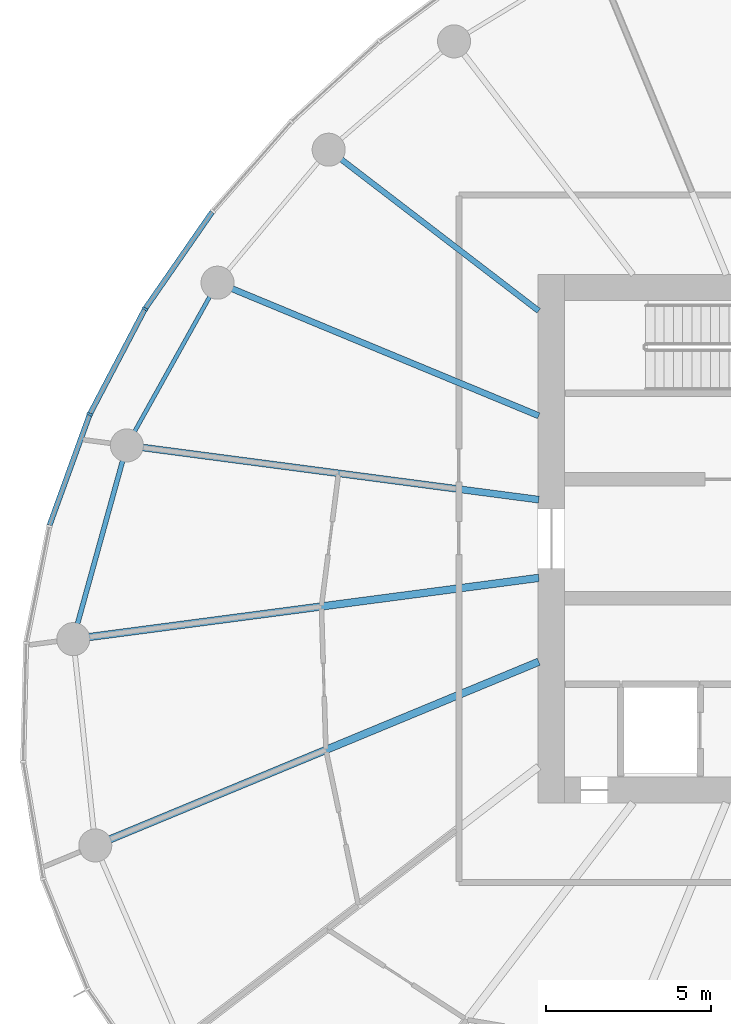
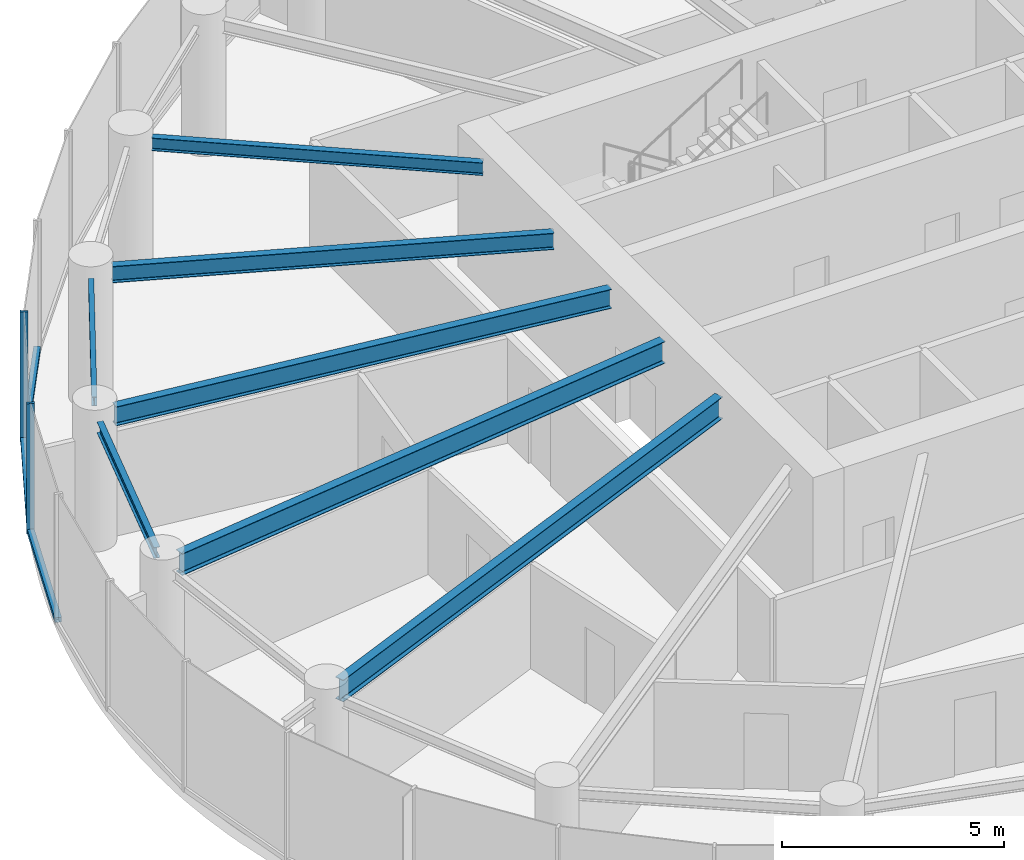
# One storey, part 3 of 14: 7 beams, 5 members, 1 element without a shape of its own.
"""IFC4 building model written with IfcOpenShell, lengths in metres."""

from ifc_helpers import new_model, si_unit, direction, frame, origin, origin_2d, place, context, subcontext, project, spatial, rectangle, i_section, extrude, source, transform, mapped, material, layer, layer_set, material_profile, profile_set, type_object, element, aggregate, save


model = new_model("IFC4")

# Units and contexts
model_context = context("Model", 3, precision=1e-05, world=origin(), true_north=direction((0.0, 1.0)))
body_context = subcontext(model_context, "Body", "Model", "MODEL_VIEW")
ifc_project = project(units=[si_unit("LENGTHUNIT", "METRE"), si_unit("AREAUNIT", "SQUARE_METRE"), si_unit("VOLUMEUNIT", "CUBIC_METRE"), si_unit("PLANEANGLEUNIT", "RADIAN"), si_unit("MASSUNIT", "GRAM", prefix="KILO")], contexts=[model_context])

# Site, building, storey
site_placement = place(None, origin())
site = spatial("IfcSite", under=ifc_project, at=site_placement, CompositionType="ELEMENT")
building_placement = place(site_placement, origin())
building = spatial("IfcBuilding", under=site, at=building_placement, Name="Spindrift Exchange Tower", CompositionType="ELEMENT")
storey_placement = place(building_placement, frame((0.0, 0.0, 164.300048828125)))
storey = spatial("IfcBuildingStorey", under=building, at=storey_placement, Name="L39", CompositionType="ELEMENT", Elevation=164.300048828125)

# Beams
ifc_material_1 = material(Name="Steel Grade 300", Category="steel")
ifc_material_profile_1 = material_profile(ifc_material_1, i_section(OverallWidth=0.1240234375, OverallDepth=0.248046875, WebThickness=0.0048828125, FlangeThickness=0.008056640625, FilletRadius=0.011962890625, at=origin_2d()), Name="250UB25.7")
ifc_profile_set_1 = profile_set([ifc_material_profile_1], Name="Steel Grade 300")
beam_type_1 = type_object("IfcBeamType", Name="Edge Beam 250UB25.7 Steel Grade 300", PredefinedType="SPANDREL", material=ifc_profile_set_1)
shared_shape_1 = source(origin(), body_context, "Body", "SweptSolid", [
    extrude(i_section(OverallWidth=0.1240234375, OverallDepth=0.248046875, WebThickness=0.0048828125, FlangeThickness=0.008056640625, FilletRadius=0.011962890625, at=origin_2d()), origin(), (0.0, 0.0, 1.0), 4.6748046875),
])
beam_1_placement = place(storey_placement, frame((33.067138671875, 55.326171875, 3.4560546875), z_axis=(-0.486587145143, -0.873632045075, 0.0), x_axis=(0.873632045075, -0.486587145143, 0.0)))
element("IfcBeam", 1, at=beam_1_placement, inside=storey, type_object=beam_type_1, Name="L39 edge beam E11", PredefinedType="SPANDREL", context=body_context, shape_type="MappedRepresentation", body=[
    mapped(shared_shape_1, transform((0.0, 0.0, 0.0), scale=1.0)),
])
ifc_material_profile_2 = material_profile(ifc_material_1, i_section(OverallWidth=0.14892578125, OverallDepth=0.298095703125, WebThickness=0.005615234375, FlangeThickness=0.008056640625, FilletRadius=0.012939453125, at=origin_2d()), Name="310UB32.0")
ifc_profile_set_2 = profile_set([ifc_material_profile_2], Name="Steel Grade 300")
beam_type_2 = type_object("IfcBeamType", Name="Edge Beam 310UB32.0 Steel Grade 300", PredefinedType="SPANDREL", material=ifc_profile_set_2)
shared_shape_2 = source(origin(), body_context, "Body", "SweptSolid", [
    extrude(i_section(OverallWidth=0.14892578125, OverallDepth=0.298095703125, WebThickness=0.005615234375, FlangeThickness=0.008056640625, FilletRadius=0.012939453125, at=origin_2d()), origin(), (0.0, 0.0, 1.0), 5.118896484375),
])
beam_2_placement = place(storey_placement, frame((30.430908203125, 50.360107421875, 3.430908203125), z_axis=(-0.266654866605, -0.963792084485, 0.0), x_axis=(0.963792084485, -0.266654866605, 0.0)))
element("IfcBeam", 2, at=beam_2_placement, inside=storey, type_object=beam_type_2, Name="L39 edge beam E12", PredefinedType="SPANDREL", context=body_context, shape_type="MappedRepresentation", body=[
    mapped(shared_shape_2, transform((0.0, 0.0, 0.0), scale=1.0)),
])
ifc_material_profile_3 = material_profile(ifc_material_1, i_section(OverallWidth=0.22802734375, OverallDepth=0.60205078125, WebThickness=0.010498046875, FlangeThickness=0.014892578125, FilletRadius=0.013916015625, at=origin_2d()), Name="610UB101")
ifc_profile_set_3 = profile_set([ifc_material_profile_3], Name="Steel Grade 300")
beam_type_3 = type_object("IfcBeamType", Name="Floor Beam 610UB101 Steel Grade 300", PredefinedType="BEAM", material=ifc_profile_set_3)
shared_shape_3 = source(origin(), body_context, "Body", "SweptSolid", [
    extrude(i_section(OverallWidth=0.22802734375, OverallDepth=0.60205078125, WebThickness=0.010498046875, FlangeThickness=0.014892578125, FilletRadius=0.013916015625, at=origin_2d()), origin(), (0.0, 0.0, 1.0), 13.723388671875),
])
beam_3_placement = place(storey_placement, frame((43.019775390625, 46.817626953125, 3.279052734375), z_axis=(-0.991447148915, -0.13050881544, 0.0), x_axis=(0.13050881544, -0.991447148915, 0.0)))
element("IfcBeam", 3, at=beam_3_placement, inside=storey, type_object=beam_type_3, Name="L39 radial beam R13A", PredefinedType="BEAM", context=body_context, shape_type="MappedRepresentation", body=[
    mapped(shared_shape_3, transform((0.0, 0.0, 0.0), scale=1.0)),
])
shared_shape_4 = source(origin(), body_context, "Body", "SweptSolid", [
    extrude(i_section(OverallWidth=0.22802734375, OverallDepth=0.60205078125, WebThickness=0.010498046875, FlangeThickness=0.014892578125, FilletRadius=0.013916015625, at=origin_2d()), origin(), (0.0, 0.0, 1.0), 14.04052734375),
])
beam_4_placement = place(storey_placement, frame((43.0185546875, 44.27978515625, 3.279052734375), z_axis=(-0.923879501748, -0.382683506634, 0.0), x_axis=(0.382683506634, -0.923879501748, 0.0)))
element("IfcBeam", 4, at=beam_4_placement, inside=storey, type_object=beam_type_3, Name="L39 radial beam R14A", PredefinedType="BEAM", context=body_context, shape_type="MappedRepresentation", body=[
    mapped(shared_shape_4, transform((0.0, 0.0, 0.0), scale=1.0)),
])
ifc_material_profile_4 = material_profile(ifc_material_1, i_section(OverallWidth=0.1708984375, OverallDepth=0.35205078125, WebThickness=0.0068359375, FlangeThickness=0.009765625, FilletRadius=0.013916015625, at=origin_2d()), Name="360UB44.7")
ifc_profile_set_4 = profile_set([ifc_material_profile_4], Name="Steel Grade 300")
beam_type_4 = type_object("IfcBeamType", Name="Floor Beam 360UB44.7 Steel Grade 300", PredefinedType="BEAM", material=ifc_profile_set_4)
shared_shape_5 = source(origin(), body_context, "Body", "SweptSolid", [
    extrude(i_section(OverallWidth=0.1708984375, OverallDepth=0.35205078125, WebThickness=0.0068359375, FlangeThickness=0.009765625, FilletRadius=0.013916015625, at=origin_2d()), origin(), (0.0, 0.0, 1.0), 7.52685546875),
])
beam_5_placement = place(storey_placement, frame((43.015869140625, 54.893798828125, 3.404052734375), z_axis=(-0.793354136078, 0.608760391918, 0.0), x_axis=(-0.608760391918, -0.793354136078, 0.0)))
element("IfcBeam", 5, at=beam_5_placement, inside=storey, type_object=beam_type_4, Name="L39 radial beam R10A", PredefinedType="BEAM", context=body_context, shape_type="MappedRepresentation", body=[
    mapped(shared_shape_5, transform((0.0, 0.0, 0.0), scale=1.0)),
])
ifc_material_profile_5 = material_profile(ifc_material_1, i_section(OverallWidth=0.18994140625, OverallDepth=0.4541015625, WebThickness=0.008544921875, FlangeThickness=0.0126953125, FilletRadius=0.013916015625, at=origin_2d()), Name="460UB67.1")
ifc_profile_set_5 = profile_set([ifc_material_profile_5], Name="Steel Grade 300")
beam_type_5 = type_object("IfcBeamType", Name="Floor Beam 460UB67.1 Steel Grade 300", PredefinedType="BEAM", material=ifc_profile_set_5)
shared_shape_6 = source(origin(), body_context, "Body", "SweptSolid", [
    extrude(i_section(OverallWidth=0.18994140625, OverallDepth=0.4541015625, WebThickness=0.008544921875, FlangeThickness=0.0126953125, FilletRadius=0.013916015625, at=origin_2d()), origin(), (0.0, 0.0, 1.0), 10.03857421875),
])
beam_6_placement = place(storey_placement, frame((43.0185546875, 51.72021484375, 3.35302734375), z_axis=(-0.923880777638, 0.382680426349, 0.0), x_axis=(-0.382680426349, -0.923880777638, 0.0)))
element("IfcBeam", 6, at=beam_6_placement, inside=storey, type_object=beam_type_5, Name="L39 radial beam R11A", PredefinedType="BEAM", context=body_context, shape_type="MappedRepresentation", body=[
    mapped(shared_shape_6, transform((0.0, 0.0, 0.0), scale=1.0)),
])
ifc_material_profile_6 = material_profile(ifc_material_1, i_section(OverallWidth=0.208984375, OverallDepth=0.528076171875, WebThickness=0.009521484375, FlangeThickness=0.01318359375, FilletRadius=0.013916015625, at=origin_2d()), Name="530UB82.0")
ifc_profile_set_6 = profile_set([ifc_material_profile_6], Name="Steel Grade 300")
beam_type_6 = type_object("IfcBeamType", Name="Floor Beam 530UB82.0 Steel Grade 300", PredefinedType="BEAM", material=ifc_profile_set_6)
shared_shape_7 = source(origin(), body_context, "Body", "SweptSolid", [
    extrude(i_section(OverallWidth=0.208984375, OverallDepth=0.528076171875, WebThickness=0.009521484375, FlangeThickness=0.01318359375, FilletRadius=0.013916015625, at=origin_2d()), origin(), (0.0, 0.0, 1.0), 12.088134765625),
])
beam_7_placement = place(storey_placement, frame((43.019775390625, 49.182373046875, 3.31591796875), z_axis=(-0.991447007302, 0.130509891244, 0.0), x_axis=(-0.130509891244, -0.991447007302, 0.0)))
element("IfcBeam", 7, at=beam_7_placement, inside=storey, type_object=beam_type_6, Name="L39 radial beam R12A", PredefinedType="BEAM", context=body_context, shape_type="MappedRepresentation", body=[
    mapped(shared_shape_7, transform((0.0, 0.0, 0.0), scale=1.0)),
])

# Curtain wall, members
ifc_material_2 = material(Name="Fritted laminated glass with bronze frame", Category="glass")
ifc_layer = layer(ifc_material_2, 0.179931640625)
ifc_layer_set = layer_set([ifc_layer], Name="ZONE 3 BRONZE FRITTED WALL")
curtain_wall_type = type_object("IfcCurtainWallType", Name="ZONE 3 BRONZE FRITTED WALL", PredefinedType="NOTDEFINED", material=ifc_layer_set)
curtain_wall_placement = place(storey_placement, origin())
curtain_wall = element("IfcCurtainWall", 8, at=curtain_wall_placement, inside=storey, type_object=curtain_wall_type, Name="L39 Zone 3 Bronze Fritted Wall run 3", PredefinedType="NOTDEFINED")
ifc_material_3 = material(Name="Bronze anodised aluminium", Category="aluminium")
ifc_material_profile_7 = material_profile(ifc_material_3, rectangle(XDim=0.070068359375, YDim=0.179931640625, at=origin_2d()), Name="ZONE 3 BRONZE FRITTED WALL MULLION 70X180")
ifc_profile_set_7 = profile_set([ifc_material_profile_7], Name="Bronze anodised aluminium")
member_type_1 = type_object("IfcMemberType", Name="ZONE 3 BRONZE FRITTED WALL MULLION 70X180", PredefinedType="MULLION", material=ifc_profile_set_7)
shared_shape_8 = source(origin(), body_context, "Body", "SweptSolid", [
    extrude(rectangle(XDim=0.070068359375, YDim=0.179931640625, at=origin_2d()), origin(), (0.0, 0.0, 1.0), 3.579833984375),
])
member_1_placement = place(storey_placement, frame((31.107421875, 54.952880859375, 0.0), z_axis=(0.0, 0.0, 1.0), x_axis=(-0.517955028022, -0.855407849477, 0.0)))
member_1 = element("IfcMember", 9, at=member_1_placement, type_object=member_type_1, Name="L39 mullion CW-3.15", PredefinedType="MULLION", context=body_context, shape_type="MappedRepresentation", body=[
    mapped(shared_shape_8, transform((0.0, 0.0, 0.0), scale=1.0)),
])
member_2_placement = place(storey_placement, frame((29.435791015625, 51.764404296875, 0.0), z_axis=(0.0, 0.0, 1.0), x_axis=(-0.403428274664, -0.915011271625, 0.0)))
member_2 = element("IfcMember", 10, at=member_2_placement, type_object=member_type_1, Name="L39 mullion CW-3.16", PredefinedType="MULLION", context=body_context, shape_type="MappedRepresentation", body=[
    mapped(shared_shape_8, transform((0.0, 0.0, 0.0), scale=1.0)),
])
ifc_material_profile_8 = material_profile(ifc_material_3, rectangle(XDim=0.159912109375, YDim=0.1298828125, at=origin_2d()), Name="ZONE 3 BRONZE FRITTED WALL TRANSOM 160X130")
ifc_profile_set_8 = profile_set([ifc_material_profile_8], Name="Bronze anodised aluminium")
member_type_2 = type_object("IfcMemberType", Name="ZONE 3 BRONZE FRITTED WALL TRANSOM 160X130", PredefinedType="USERDEFINED", material=ifc_profile_set_8)
shared_shape_9 = source(origin(), body_context, "Body", "SweptSolid", [
    extrude(rectangle(XDim=0.159912109375, YDim=0.1298828125, at=origin_2d()), origin(), (0.0, 0.0, 1.0), 3.530517578125),
])
member_3_placement = place(storey_placement, frame((33.13818359375, 57.883544921875, 0.06494140625), z_axis=(-0.569547952872, -0.821958106828, 0.0), x_axis=(0.821958106828, -0.569547952872, 0.0)))
member_3 = element("IfcMember", 11, at=member_3_placement, type_object=member_type_2, Name="L39 transom CW-3.14", ObjectType="TRANSOM", PredefinedType="USERDEFINED", context=body_context, shape_type="MappedRepresentation", body=[
    mapped(shared_shape_9, transform((0.0, 0.0, 0.0), scale=1.0)),
])
shared_shape_10 = source(origin(), body_context, "Body", "SweptSolid", [
    extrude(rectangle(XDim=0.159912109375, YDim=0.1298828125, at=origin_2d()), origin(), (0.0, 0.0, 1.0), 3.530029296875),
])
member_4_placement = place(storey_placement, frame((31.091064453125, 54.921875, 0.06494140625), z_axis=(-0.464337747163, -0.885658205268, 0.0), x_axis=(0.885658205268, -0.464337747163, 0.0)))
member_4 = element("IfcMember", 12, at=member_4_placement, type_object=member_type_2, Name="L39 transom CW-3.15", ObjectType="TRANSOM", PredefinedType="USERDEFINED", context=body_context, shape_type="MappedRepresentation", body=[
    mapped(shared_shape_10, transform((0.0, 0.0, 0.0), scale=1.0)),
])
shared_shape_11 = source(origin(), body_context, "Body", "SweptSolid", [
    extrude(rectangle(XDim=0.159912109375, YDim=0.1298828125, at=origin_2d()), origin(), (0.0, 0.0, 1.0), 3.52978515625),
])
member_5_placement = place(storey_placement, frame((29.423828125, 51.731689453125, 0.06494140625), z_axis=(-0.34064877705, -0.940190624658, 0.0), x_axis=(0.940190624658, -0.34064877705, 0.0)))
member_5 = element("IfcMember", 13, at=member_5_placement, type_object=member_type_2, Name="L39 transom CW-3.16", ObjectType="TRANSOM", PredefinedType="USERDEFINED", context=body_context, shape_type="MappedRepresentation", body=[
    mapped(shared_shape_11, transform((0.0, 0.0, 0.0), scale=1.0)),
])
aggregate(curtain_wall, [member_3, member_1, member_4, member_2, member_5])

save(model, "model.ifc")
